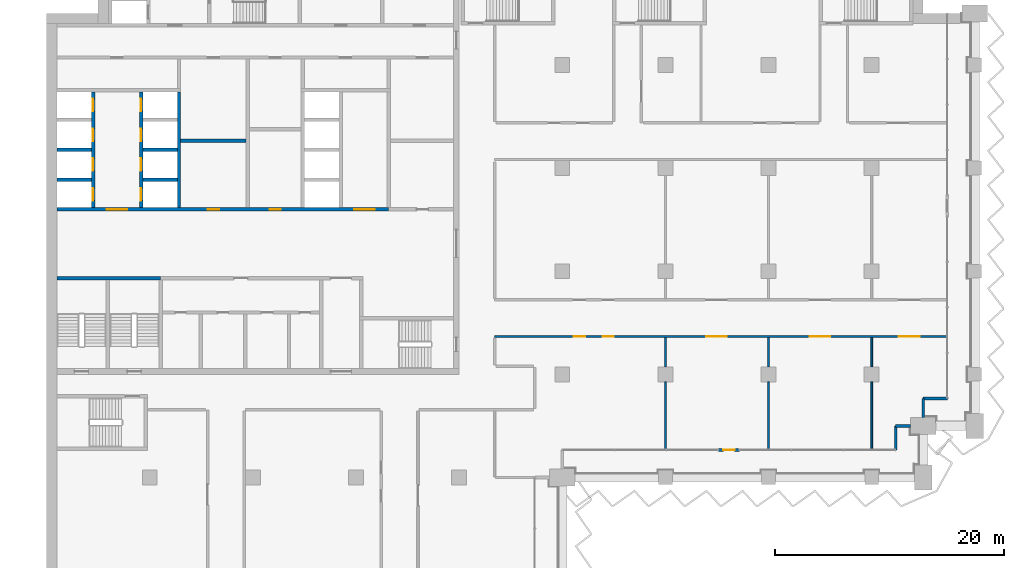
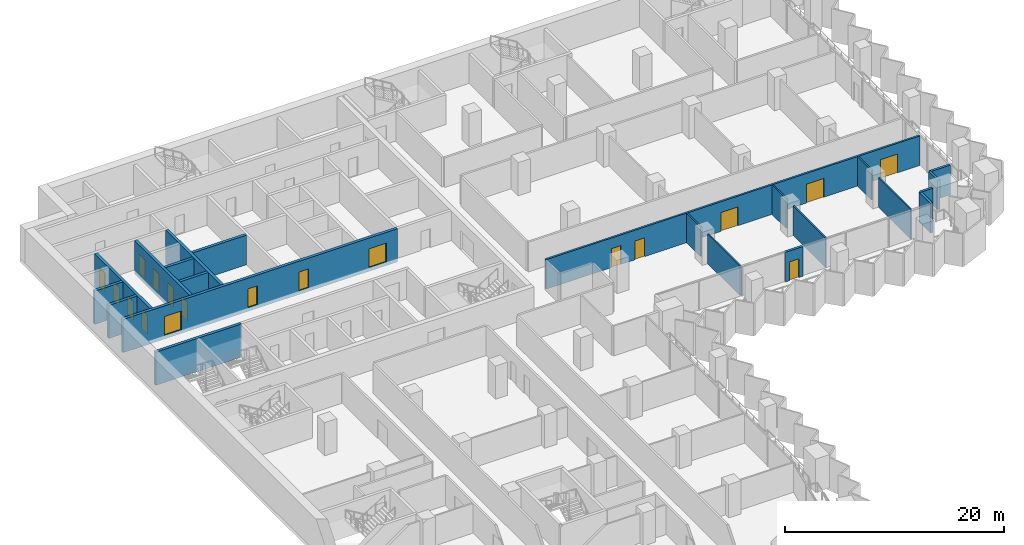
# One storey, part 12 of 22: 22 walls, 18 doors, 18 openings.
"""IFC4 building model written with IfcOpenShell, lengths in metres."""

from ifc_helpers import new_model, si_unit, direction, frame, frame_2d, origin, place, context, subcontext, project, spatial, rectangle, extrude, material, layer, layer_set, type_object, element, fill, save


model = new_model("IFC4")

# Units and contexts
model_context = context("Model", 3, precision=1e-05, world=origin(), true_north=direction((0.0, 1.0)))
body_context = subcontext(model_context, "Body", "Model", "MODEL_VIEW")
ifc_project = project(units=[si_unit("LENGTHUNIT", "METRE"), si_unit("AREAUNIT", "SQUARE_METRE"), si_unit("VOLUMEUNIT", "CUBIC_METRE"), si_unit("PLANEANGLEUNIT", "RADIAN"), si_unit("MASSUNIT", "GRAM", prefix="KILO")], contexts=[model_context])

# Site, building, storey
site_placement = place(None, origin())
site = spatial("IfcSite", under=ifc_project, at=site_placement, CompositionType="ELEMENT")
building_placement = place(site_placement, origin())
building = spatial("IfcBuilding", under=site, at=building_placement, Name="Hunhe Ridgeline Campus", CompositionType="ELEMENT")
storey_placement = place(building_placement, frame((0.0, 0.0, 114.39990234375)))
storey = spatial("IfcBuildingStorey", under=building, at=storey_placement, Name="L28", CompositionType="ELEMENT", Elevation=114.39990234375)

# Walls
ifc_material_1 = material(Name="Masonry concrete blockwork", Category="masonry")
ifc_layer_1 = layer(ifc_material_1, 0.300048828125)
ifc_layer_set_1 = layer_set([ifc_layer_1], Name="Core room partition 300 concrete block")
wall_type_1 = type_object("IfcWallType", Name="Core room partition 300 concrete block", PredefinedType="PARTITIONING", material=ifc_layer_set_1)
wall_1_placement = place(storey_placement, frame((11.699951171875, 83.39990234375, 0.0), z_axis=(0.0, 0.0, 1.0), x_axis=(1.0, 0.0, 0.0)))
element("IfcWall", 1, at=wall_1_placement, inside=storey, type_object=wall_type_1, Name="L28 core partition 20", PredefinedType="PARTITIONING", context=body_context, shape_type="SweptSolid", body=[
    extrude(rectangle(XDim=5.699951171875, YDim=0.300048828125, at=frame_2d((2.85009765625, 0.0))), origin(), (0.0, 0.0, 1.0), 3.300048828125),
])
ifc_material_2 = material(Name="Concrete C30", Category="concrete")
ifc_layer_2 = layer(ifc_material_2, 0.25)
ifc_layer_set_2 = layer_set([ifc_layer_2], Name="Corner return wall 250 Concrete C30")
wall_type_2 = type_object("IfcWallType", Name="Corner return wall 250 Concrete C30", PredefinedType="SOLIDWALL", material=ifc_layer_set_2)
wall_2_placement = place(storey_placement, frame((74.09912109375, 56.40087890625, 0.0), z_axis=(0.0, 0.0, 1.0), x_axis=(0.00011626555, 0.999999993241, 0.0)))
element("IfcWall", 2, at=wall_2_placement, inside=storey, type_object=wall_type_2, Name="Corner return wall 4", PredefinedType="SOLIDWALL", context=body_context, shape_type="SweptSolid", body=[
    extrude(rectangle(XDim=2.099853515625, YDim=0.25, at=frame_2d((1.0498046875, 0.0))), origin(), (0.0, 0.0, 1.0), 3.300048828125),
])
wall_3_placement = place(storey_placement, frame((74.099365234375, 58.500732421875, 0.0), z_axis=(0.0, 0.0, 1.0), x_axis=(0.99999998238, 0.000187722918, 0.0)))
element("IfcWall", 3, at=wall_3_placement, inside=storey, type_object=wall_type_2, Name="Corner return wall 5", PredefinedType="SOLIDWALL", context=body_context, shape_type="SweptSolid", body=[
    extrude(rectangle(XDim=1.300537109375, YDim=0.25, at=frame_2d((0.650390625, 0.0))), origin(), (0.0, 0.0, 1.0), 3.300048828125),
])
wall_4_placement = place(storey_placement, frame((76.4990234375, 59.25, 0.0), z_axis=(0.0, 0.0, 1.0), x_axis=(0.000147907113, 0.999999989062, 0.0)))
element("IfcWall", 4, at=wall_4_placement, inside=storey, type_object=wall_type_2, Name="Corner return wall 6", PredefinedType="SOLIDWALL", context=body_context, shape_type="SweptSolid", body=[
    extrude(rectangle(XDim=1.650634765625, YDim=0.25, at=frame_2d((0.8251953125, 0.0))), origin(), (0.0, 0.0, 1.0), 3.300048828125),
])
wall_5_placement = place(storey_placement, frame((76.499267578125, 60.900634765625, 0.0), z_axis=(0.0, 0.0, 1.0), x_axis=(0.999999993241, 0.00011626555, 0.0)))
element("IfcWall", 5, at=wall_5_placement, inside=storey, type_object=wall_type_2, Name="Corner return wall 7", PredefinedType="SOLIDWALL", context=body_context, shape_type="SweptSolid", body=[
    extrude(rectangle(XDim=2.099853515625, YDim=0.25, at=frame_2d((1.0498046875, 0.0))), origin(), (0.0, 0.0, 1.0), 3.300048828125),
])

# Wall, openings, doors
ifc_material_3 = material(Name="Gypsum board partition")
ifc_layer_3 = layer(ifc_material_3, 0.199951171875)
ifc_layer_set_3 = layer_set([ifc_layer_3], Name="Corridor partition 200 gypsum board on steel studs")
wall_type_3 = type_object("IfcWallType", Name="Corridor partition 200 gypsum board on steel studs", PredefinedType="PARTITIONING", material=ifc_layer_set_3)
wall_6_placement = place(storey_placement, frame((78.544921875, 66.300048828125, 0.0), z_axis=(0.0, 0.0, 1.0), x_axis=(-1.0, 0.0, 0.0)))
wall_6 = element("IfcWall", 6, at=wall_6_placement, inside=storey, type_object=wall_type_3, Name="F-L28-wall-035", PredefinedType="PARTITIONING", context=body_context, shape_type="SweptSolid", body=[
    extrude(rectangle(XDim=39.44482421875, YDim=0.199951171875, at=frame_2d((19.722412109375, 0.0))), origin(), (0.0, 0.0, 1.0), 3.300048828125),
])
opening_1_placement = place(wall_6_placement, frame((31.533447265625, 0.0, 0.0)))
opening_1 = element("IfcOpeningElement", 7, at=opening_1_placement, cuts=wall_6, Name="Opening RD1-019", PredefinedType="OPENING", context=body_context, shape_type="SweptSolid", body=[
    extrude(rectangle(XDim=1.0, YDim=2.10009765625, at=frame_2d((0.5, 1.050048828125))), frame((0.0, 0.10009765625, 0.0), z_axis=(0.0, -1.0, 0.0), x_axis=(1.0, 0.0, 0.0)), (0.0, 0.0, 1.0), 0.199951171875),
])
opening_2_placement = place(wall_6_placement, frame((29.033447265625, 0.0, 0.0)))
opening_2 = element("IfcOpeningElement", 8, at=opening_2_placement, cuts=wall_6, Name="Opening RD1-020", PredefinedType="OPENING", context=body_context, shape_type="SweptSolid", body=[
    extrude(rectangle(XDim=1.0, YDim=2.10009765625, at=frame_2d((0.5, 1.050048828125))), frame((0.0, 0.10009765625, 0.0), z_axis=(0.0, -1.0, 0.0), x_axis=(1.0, 0.0, 0.0)), (0.0, 0.0, 1.0), 0.199951171875),
])
opening_3_placement = place(wall_6_placement, frame((19.199462890625, 0.0, 0.0)))
opening_3 = element("IfcOpeningElement", 9, at=opening_3_placement, cuts=wall_6, Name="Opening RD2-021", PredefinedType="OPENING", context=body_context, shape_type="SweptSolid", body=[
    extrude(rectangle(XDim=1.800048828125, YDim=2.10009765625, at=frame_2d((0.89990234375, 1.050048828125))), frame((0.0, 0.10009765625, 0.0), z_axis=(0.0, -1.0, 0.0), x_axis=(1.0, 0.0, 0.0)), (0.0, 0.0, 1.0), 0.199951171875),
])
opening_4_placement = place(wall_6_placement, frame((10.154541015625, 0.0, 0.0)))
opening_4 = element("IfcOpeningElement", 10, at=opening_4_placement, cuts=wall_6, Name="Opening RD2-022", PredefinedType="OPENING", context=body_context, shape_type="SweptSolid", body=[
    extrude(rectangle(XDim=1.800048828125, YDim=2.10009765625, at=frame_2d((0.89990234375, 1.050048828125))), frame((0.0, 0.10009765625, 0.0), z_axis=(0.0, -1.0, 0.0), x_axis=(1.0, 0.0, 0.0)), (0.0, 0.0, 1.0), 0.199951171875),
])
opening_5_placement = place(wall_6_placement, frame((2.3662109375, 0.0, 0.0)))
opening_5 = element("IfcOpeningElement", 11, at=opening_5_placement, cuts=wall_6, Name="Opening RD2-023", PredefinedType="OPENING", context=body_context, shape_type="SweptSolid", body=[
    extrude(rectangle(XDim=1.800048828125, YDim=2.10009765625, at=frame_2d((0.89990234375, 1.050048828125))), frame((0.0, 0.10009765625, 0.0), z_axis=(0.0, -1.0, 0.0), x_axis=(1.0, 0.0, 0.0)), (0.0, 0.0, 1.0), 0.199951171875),
])
ifc_material_4 = material(Name="Timber door leaf", Category="wood")
door_type_1 = type_object("IfcDoorType", Name="Double fire door 1800x2100 timber FD60", OperationType="DOUBLE_DOOR_SINGLE_SWING", PredefinedType="DOOR", material=ifc_material_4)
door_1_placement = place(opening_3_placement, origin())
door_1 = element("IfcDoor", 12, at=door_1_placement, inside=storey, type_object=door_type_1, Name="F-L28-door-021", OperationType="DOUBLE_DOOR_SINGLE_SWING", OverallHeight=2.10009765625, OverallWidth=1.800048828125, PredefinedType="DOOR", context=body_context, shape_type="SweptSolid", body=[
    extrude(rectangle(XDim=1.800048828125, YDim=2.10009765625, at=frame_2d((0.89990234375, 1.050048828125))), frame((0.0, 0.02490234375, 0.0), z_axis=(0.0, -1.0, 0.0), x_axis=(1.0, 0.0, 0.0)), (0.0, 0.0, 1.0), 0.050048828125),
])
fill(opening_3, door_1)
door_2_placement = place(opening_4_placement, origin())
door_2 = element("IfcDoor", 13, at=door_2_placement, inside=storey, type_object=door_type_1, Name="F-L28-door-022", OperationType="DOUBLE_DOOR_SINGLE_SWING", OverallHeight=2.10009765625, OverallWidth=1.800048828125, PredefinedType="DOOR", context=body_context, shape_type="SweptSolid", body=[
    extrude(rectangle(XDim=1.800048828125, YDim=2.10009765625, at=frame_2d((0.89990234375, 1.050048828125))), frame((0.0, 0.02490234375, 0.0), z_axis=(0.0, -1.0, 0.0), x_axis=(1.0, 0.0, 0.0)), (0.0, 0.0, 1.0), 0.050048828125),
])
fill(opening_4, door_2)
door_3_placement = place(opening_5_placement, origin())
door_3 = element("IfcDoor", 14, at=door_3_placement, inside=storey, type_object=door_type_1, Name="F-L28-door-023", OperationType="DOUBLE_DOOR_SINGLE_SWING", OverallHeight=2.10009765625, OverallWidth=1.800048828125, PredefinedType="DOOR", context=body_context, shape_type="SweptSolid", body=[
    extrude(rectangle(XDim=1.800048828125, YDim=2.10009765625, at=frame_2d((0.89990234375, 1.050048828125))), frame((0.0, 0.02490234375, 0.0), z_axis=(0.0, -1.0, 0.0), x_axis=(1.0, 0.0, 0.0)), (0.0, 0.0, 1.0), 0.050048828125),
])
fill(opening_5, door_3)
door_type_2 = type_object("IfcDoorType", Name="Single fire door 1000x2100 timber FD60", OperationType="NOTDEFINED", PredefinedType="DOOR", material=ifc_material_4)
door_4_placement = place(opening_1_placement, frame((1.0, 0.0, 0.0), z_axis=(0.0, 0.0, 1.0), x_axis=(-1.0, 0.0, 0.0)))
door_4 = element("IfcDoor", 15, at=door_4_placement, inside=storey, type_object=door_type_2, Name="F-L28-door-019", OperationType="SINGLE_SWING_LEFT", OverallHeight=2.10009765625, OverallWidth=1.0, PredefinedType="DOOR", context=body_context, shape_type="SweptSolid", body=[
    extrude(rectangle(XDim=1.0, YDim=2.10009765625, at=frame_2d((0.5, 1.050048828125))), frame((0.0, 0.02490234375, 0.0), z_axis=(0.0, -1.0, 0.0), x_axis=(1.0, 0.0, 0.0)), (0.0, 0.0, 1.0), 0.050048828125),
])
fill(opening_1, door_4)
door_5_placement = place(opening_2_placement, frame((1.0, 0.0, 0.0), z_axis=(0.0, 0.0, 1.0), x_axis=(-1.0, 0.0, 0.0)))
door_5 = element("IfcDoor", 16, at=door_5_placement, inside=storey, type_object=door_type_2, Name="F-L28-door-020", OperationType="SINGLE_SWING_RIGHT", OverallHeight=2.10009765625, OverallWidth=1.0, PredefinedType="DOOR", context=body_context, shape_type="SweptSolid", body=[
    extrude(rectangle(XDim=1.0, YDim=2.10009765625, at=frame_2d((0.5, 1.050048828125))), frame((0.0, 0.02490234375, 0.0), z_axis=(0.0, -1.0, 0.0), x_axis=(1.0, 0.0, 0.0)), (0.0, 0.0, 1.0), 0.050048828125),
])
fill(opening_2, door_5)

# Wall, opening, door
ifc_layer_4 = layer(ifc_material_2, 0.25)
ifc_layer_set_4 = layer_set([ifc_layer_4], Name="Loggia door pier wall 250 Concrete C30")
wall_type_4 = type_object("IfcWallType", Name="Loggia door pier wall 250 Concrete C30", PredefinedType="SOLIDWALL", material=ifc_layer_set_4)
wall_7_placement = place(storey_placement, frame((58.6494140625, 56.40087890625, 0.0), z_axis=(0.0, 0.0, 1.0), x_axis=(1.0, 0.0, 0.0)))
wall_7 = element("IfcWall", 17, at=wall_7_placement, inside=storey, type_object=wall_type_4, Name="Loggia door pier 3", PredefinedType="SOLIDWALL", context=body_context, shape_type="SweptSolid", body=[
    extrude(rectangle(XDim=1.800048828125, YDim=0.25, at=frame_2d((0.89990234375, 0.0))), origin(), (0.0, 0.0, 1.0), 3.300048828125),
])
opening_6_placement = place(wall_7_placement, frame((0.39990234375, 0.0, 0.0)))
opening_6 = element("IfcOpeningElement", 18, at=opening_6_placement, cuts=wall_7, Name="Opening BD206", PredefinedType="OPENING", context=body_context, shape_type="SweptSolid", body=[
    extrude(rectangle(XDim=1.0, YDim=2.10009765625, at=frame_2d((0.5, 1.050048828125))), frame((0.0, 0.125, 0.0), z_axis=(0.0, -1.0, 0.0), x_axis=(1.0, 0.0, 0.0)), (0.0, 0.0, 1.0), 0.25),
])
ifc_material_5 = material(Name="Aluminium 6063", Category="aluminium")
door_type_3 = type_object("IfcDoorType", Name="Loggia glazed door 1000x2100", OperationType="NOTDEFINED", PredefinedType="DOOR", material=ifc_material_5)
door_6_placement = place(opening_6_placement, frame((1.0, 0.0, 0.0), z_axis=(0.0, 0.0, 1.0), x_axis=(-1.0, 0.0, 0.0)))
door_6 = element("IfcDoor", 19, at=door_6_placement, inside=storey, type_object=door_type_3, Name="Loggia door BD206", OperationType="SINGLE_SWING_LEFT", OverallHeight=2.10009765625, OverallWidth=1.0, PredefinedType="DOOR", context=body_context, shape_type="SweptSolid", body=[
    extrude(rectangle(XDim=1.0, YDim=2.10009765625, at=frame_2d((0.5, 1.050048828125))), frame((0.0, 0.02490234375, 0.0), z_axis=(0.0, -1.0, 0.0), x_axis=(1.0, 0.0, 0.0)), (0.0, 0.0, 1.0), 0.050048828125),
])
fill(opening_6, door_6)

# Walls
ifc_layer_5 = layer(ifc_material_3, 0.14990234375)
ifc_layer_set_5 = layer_set([ifc_layer_5], Name="Room partition 150 gypsum board on steel studs")
wall_type_5 = type_object("IfcWallType", Name="Room partition 150 gypsum board on steel studs", PredefinedType="PARTITIONING", material=ifc_layer_set_5)
wall_8_placement = place(storey_placement, frame((54.0, 62.35009765625, 0.0), z_axis=(0.0, 0.0, 1.0), x_axis=(0.0, -1.0, 0.0)))
element("IfcWall", 20, at=wall_8_placement, inside=storey, type_object=wall_type_5, Name="F-L28-wall-056", PredefinedType="PARTITIONING", context=body_context, shape_type="SweptSolid", body=[
    extrude(rectangle(XDim=5.89501953125, YDim=0.14990234375, at=frame_2d((2.947509765625, 0.0))), origin(), (0.0, 0.0, 1.0), 3.300048828125),
])
wall_9_placement = place(storey_placement, frame((54.0, 66.199951171875, 0.0), z_axis=(0.0, 0.0, 1.0), x_axis=(0.0, -1.0, 0.0)))
element("IfcWall", 21, at=wall_9_placement, inside=storey, type_object=wall_type_5, Name="F-L28-wall-057", PredefinedType="PARTITIONING", context=body_context, shape_type="SweptSolid", body=[
    extrude(rectangle(XDim=2.550048828125, YDim=0.14990234375, at=frame_2d((1.27490234375, 0.0))), origin(), (0.0, 0.0, 1.0), 3.300048828125),
])
wall_10_placement = place(storey_placement, frame((63.0, 62.35009765625, 0.0), z_axis=(0.0, 0.0, 1.0), x_axis=(0.0, -1.0, 0.0)))
element("IfcWall", 22, at=wall_10_placement, inside=storey, type_object=wall_type_5, Name="F-L28-wall-061", PredefinedType="PARTITIONING", context=body_context, shape_type="SweptSolid", body=[
    extrude(rectangle(XDim=5.89501953125, YDim=0.14990234375, at=frame_2d((2.947509765625, 0.0))), origin(), (0.0, 0.0, 1.0), 3.300048828125),
])
wall_11_placement = place(storey_placement, frame((63.0, 66.199951171875, 0.0), z_axis=(0.0, 0.0, 1.0), x_axis=(0.0, -1.0, 0.0)))
element("IfcWall", 23, at=wall_11_placement, inside=storey, type_object=wall_type_5, Name="F-L28-wall-062", PredefinedType="PARTITIONING", context=body_context, shape_type="SweptSolid", body=[
    extrude(rectangle(XDim=2.550048828125, YDim=0.14990234375, at=frame_2d((1.27490234375, 0.0))), origin(), (0.0, 0.0, 1.0), 3.300048828125),
])
wall_12_placement = place(storey_placement, frame((72.0, 62.35009765625, 0.0), z_axis=(0.0, 0.0, 1.0), x_axis=(0.0, -1.0, 0.0)))
element("IfcWall", 24, at=wall_12_placement, inside=storey, type_object=wall_type_5, Name="F-L28-wall-067", PredefinedType="PARTITIONING", context=body_context, shape_type="SweptSolid", body=[
    extrude(rectangle(XDim=5.89501953125, YDim=0.14990234375, at=frame_2d((2.947509765625, 0.0))), origin(), (0.0, 0.0, 1.0), 3.300048828125),
])
wall_13_placement = place(storey_placement, frame((72.0, 66.199951171875, 0.0), z_axis=(0.0, 0.0, 1.0), x_axis=(0.0, -1.0, 0.0)))
element("IfcWall", 25, at=wall_13_placement, inside=storey, type_object=wall_type_5, Name="F-L28-wall-068", PredefinedType="PARTITIONING", context=body_context, shape_type="SweptSolid", body=[
    extrude(rectangle(XDim=2.550048828125, YDim=0.14990234375, at=frame_2d((1.27490234375, 0.0))), origin(), (0.0, 0.0, 1.0), 3.300048828125),
])

# Wall, openings, doors
ifc_material_6 = material(Name="Concrete C80", Category="concrete")
ifc_layer_6 = layer(ifc_material_6, 0.300048828125)
ifc_layer_set_6 = layer_set([ifc_layer_6], Name="Shaft wall 300 reinforced concrete C80")
wall_type_6 = type_object("IfcWallType", Name="Shaft wall 300 reinforced concrete C80", PredefinedType="SOLIDWALL", material=ifc_layer_set_6)
wall_14_placement = place(storey_placement, frame((0.89990234375, 77.39990234375, -0.39990234375), z_axis=(0.0, 0.0, 1.0), x_axis=(1.0, 0.0, 0.0)))
wall_14 = element("IfcWall", 26, at=wall_14_placement, inside=storey, type_object=wall_type_6, Name="L28 core wall 12", PredefinedType="SOLIDWALL", context=body_context, shape_type="SweptSolid", body=[
    extrude(rectangle(XDim=28.9501953125, YDim=0.300048828125, at=frame_2d((14.47509765625, 0.0))), origin(), (0.0, 0.0, 1.0), 3.699951171875),
])
opening_7_placement = place(wall_14_placement, frame((4.35009765625, 0.0, 0.39990234375)))
opening_7 = element("IfcOpeningElement", 27, at=opening_7_placement, cuts=wall_14, Name="Opening CD1", PredefinedType="OPENING", context=body_context, shape_type="SweptSolid", body=[
    extrude(rectangle(XDim=1.800048828125, YDim=2.10009765625, at=frame_2d((0.89990234375, 1.050048828125))), frame((0.0, 0.14990234375, 0.0), z_axis=(0.0, -1.0, 0.0), x_axis=(1.0, 0.0, 0.0)), (0.0, 0.0, 1.0), 0.300048828125),
])
opening_8_placement = place(wall_14_placement, frame((25.949951171875, 0.0, 0.39990234375)))
opening_8 = element("IfcOpeningElement", 28, at=opening_8_placement, cuts=wall_14, Name="Opening CD2", PredefinedType="OPENING", context=body_context, shape_type="SweptSolid", body=[
    extrude(rectangle(XDim=1.800048828125, YDim=2.10009765625, at=frame_2d((0.89990234375, 1.050048828125))), frame((0.0, 0.14990234375, 0.0), z_axis=(0.0, -1.0, 0.0), x_axis=(1.0, 0.0, 0.0)), (0.0, 0.0, 1.0), 0.300048828125),
])
opening_9_placement = place(wall_14_placement, frame((13.14990234375, 0.0, 0.39990234375)))
opening_9 = element("IfcOpeningElement", 29, at=opening_9_placement, cuts=wall_14, Name="Opening CD28", PredefinedType="OPENING", context=body_context, shape_type="SweptSolid", body=[
    extrude(rectangle(XDim=1.0, YDim=2.10009765625, at=frame_2d((0.5, 1.050048828125))), frame((0.0, 0.14990234375, 0.0), z_axis=(0.0, -1.0, 0.0), x_axis=(1.0, 0.0, 0.0)), (0.0, 0.0, 1.0), 0.300048828125),
])
opening_10_placement = place(wall_14_placement, frame((18.550048828125, 0.0, 0.39990234375)))
opening_10 = element("IfcOpeningElement", 30, at=opening_10_placement, cuts=wall_14, Name="Opening CD30", PredefinedType="OPENING", context=body_context, shape_type="SweptSolid", body=[
    extrude(rectangle(XDim=1.0, YDim=2.10009765625, at=frame_2d((0.5, 1.050048828125))), frame((0.0, 0.14990234375, 0.0), z_axis=(0.0, -1.0, 0.0), x_axis=(1.0, 0.0, 0.0)), (0.0, 0.0, 1.0), 0.300048828125),
])
ifc_material_7 = material(Name="Hollow metal fire door leaf")
door_type_4 = type_object("IfcDoorType", Name="Lobby door 1800x2100 FD60", OperationType="SINGLE_SWING_LEFT", PredefinedType="DOOR", material=ifc_material_7)
door_7_placement = place(opening_7_placement, frame((1.800048828125, 0.0, 0.0), z_axis=(0.0, 0.0, 1.0), x_axis=(-1.0, 0.0, 0.0)))
door_7 = element("IfcDoor", 31, at=door_7_placement, inside=storey, type_object=door_type_4, Name="L28 door LOB-LR", OperationType="SINGLE_SWING_RIGHT", OverallHeight=2.10009765625, OverallWidth=1.800048828125, PredefinedType="DOOR", context=body_context, shape_type="SweptSolid", body=[
    extrude(rectangle(XDim=1.800048828125, YDim=2.10009765625, at=frame_2d((0.89990234375, 1.050048828125))), frame((0.0, 0.02490234375, 0.0), z_axis=(0.0, -1.0, 0.0), x_axis=(1.0, 0.0, 0.0)), (0.0, 0.0, 1.0), 0.050048828125),
])
fill(opening_7, door_7)
door_8_placement = place(opening_8_placement, frame((1.800048828125, 0.0, 0.0), z_axis=(0.0, 0.0, 1.0), x_axis=(-1.0, 0.0, 0.0)))
door_8 = element("IfcDoor", 32, at=door_8_placement, inside=storey, type_object=door_type_4, Name="L28 door LOB-SH", OperationType="SINGLE_SWING_LEFT", OverallHeight=2.10009765625, OverallWidth=1.800048828125, PredefinedType="DOOR", context=body_context, shape_type="SweptSolid", body=[
    extrude(rectangle(XDim=1.800048828125, YDim=2.10009765625, at=frame_2d((0.89990234375, 1.050048828125))), frame((0.0, 0.02490234375, 0.0), z_axis=(0.0, -1.0, 0.0), x_axis=(1.0, 0.0, 0.0)), (0.0, 0.0, 1.0), 0.050048828125),
])
fill(opening_8, door_8)
ifc_material_8 = material(Name="Solid core timber door leaf", Category="wood")
door_type_5 = type_object("IfcDoorType", Name="Timber door 1000x2100", OperationType="SINGLE_SWING_LEFT", PredefinedType="DOOR", material=ifc_material_8)
door_9_placement = place(opening_9_placement, origin())
door_9 = element("IfcDoor", 33, at=door_9_placement, inside=storey, type_object=door_type_5, Name="L28 door VD-HR0", OperationType="SINGLE_SWING_LEFT", OverallHeight=2.10009765625, OverallWidth=1.0, PredefinedType="DOOR", context=body_context, shape_type="SweptSolid", body=[
    extrude(rectangle(XDim=1.0, YDim=2.10009765625, at=frame_2d((0.5, 1.050048828125))), frame((0.0, 0.02490234375, 0.0), z_axis=(0.0, -1.0, 0.0), x_axis=(1.0, 0.0, 0.0)), (0.0, 0.0, 1.0), 0.050048828125),
])
fill(opening_9, door_9)
door_10_placement = place(opening_10_placement, origin())
door_10 = element("IfcDoor", 34, at=door_10_placement, inside=storey, type_object=door_type_5, Name="L28 door VD-HR2", OperationType="SINGLE_SWING_LEFT", OverallHeight=2.10009765625, OverallWidth=1.0, PredefinedType="DOOR", context=body_context, shape_type="SweptSolid", body=[
    extrude(rectangle(XDim=1.0, YDim=2.10009765625, at=frame_2d((0.5, 1.050048828125))), frame((0.0, 0.02490234375, 0.0), z_axis=(0.0, -1.0, 0.0), x_axis=(1.0, 0.0, 0.0)), (0.0, 0.0, 1.0), 0.050048828125),
])
fill(opening_10, door_10)

# Walls
for number, where, z_axis, x_axis, name in (
    (35, (0.89990234375, 80.0, -0.39990234375), (0.0, 0.0, 1.0), (1.0, 0.0, 0.0), "L28 core wall 14"),
    (36, (8.39990234375, 80.0, -0.39990234375), (0.0, 0.0, 1.0), (1.0, 0.0, 0.0), "L28 core wall 15"),
    (37, (0.89990234375, 82.60009765625, -0.39990234375), (0.0, 0.0, 1.0), (1.0, 0.0, 0.0), "L28 core wall 17"),
    (38, (8.39990234375, 82.60009765625, -0.39990234375), (0.0, 0.0, 1.0), (1.0, 0.0, 0.0), "L28 core wall 18"),
):
    element("IfcWall", number, at=place(storey_placement, frame(where, z_axis=z_axis, x_axis=x_axis)), inside=storey, type_object=wall_type_6, Name=name, PredefinedType="SOLIDWALL", context=body_context, shape_type="SweptSolid", body=[
        extrude(rectangle(XDim=3.0, YDim=0.300048828125, at=frame_2d((1.5, 0.0))), origin(), (0.0, 0.0, 1.0), 3.699951171875),
    ])

# Wall, openings, doors
wall_15_placement = place(storey_placement, frame((4.050048828125, 77.550048828125, -0.39990234375), z_axis=(0.0, 0.0, 1.0), x_axis=(0.0, 1.0, 0.0)))
wall_15 = element("IfcWall", 39, at=wall_15_placement, inside=storey, type_object=wall_type_6, Name="L28 core wall 34", PredefinedType="SOLIDWALL", context=body_context, shape_type="SweptSolid", body=[
    extrude(rectangle(XDim=10.099853515625, YDim=0.300048828125, at=frame_2d((5.0498046875, 0.0))), origin(), (0.0, 0.0, 1.0), 3.699951171875),
])
opening_11_placement = place(wall_15_placement, frame((0.60009765625, 0.0, 0.39990234375)))
opening_11 = element("IfcOpeningElement", 40, at=opening_11_placement, cuts=wall_15, Name="Opening LD-LR1", PredefinedType="OPENING", context=body_context, shape_type="SweptSolid", body=[
    extrude(rectangle(XDim=1.10009765625, YDim=2.10009765625, at=frame_2d((0.550048828125, 1.050048828125))), frame((0.0, 0.14990234375, 0.0), z_axis=(0.0, -1.0, 0.0), x_axis=(1.0, 0.0, 0.0)), (0.0, 0.0, 1.0), 0.300048828125),
])
opening_12_placement = place(wall_15_placement, frame((3.199951171875, 0.0, 0.39990234375)))
opening_12 = element("IfcOpeningElement", 41, at=opening_12_placement, cuts=wall_15, Name="Opening LD-LR2", PredefinedType="OPENING", context=body_context, shape_type="SweptSolid", body=[
    extrude(rectangle(XDim=1.10009765625, YDim=2.10009765625, at=frame_2d((0.550048828125, 1.050048828125))), frame((0.0, 0.14990234375, 0.0), z_axis=(0.0, -1.0, 0.0), x_axis=(1.0, 0.0, 0.0)), (0.0, 0.0, 1.0), 0.300048828125),
])
opening_13_placement = place(wall_15_placement, frame((5.800048828125, 0.0, 0.39990234375)))
opening_13 = element("IfcOpeningElement", 42, at=opening_13_placement, cuts=wall_15, Name="Opening LD-LR3", PredefinedType="OPENING", context=body_context, shape_type="SweptSolid", body=[
    extrude(rectangle(XDim=1.10009765625, YDim=2.10009765625, at=frame_2d((0.550048828125, 1.050048828125))), frame((0.0, 0.14990234375, 0.0), z_axis=(0.0, -1.0, 0.0), x_axis=(1.0, 0.0, 0.0)), (0.0, 0.0, 1.0), 0.300048828125),
])
opening_14_placement = place(wall_15_placement, frame((8.39990234375, 0.0, 0.39990234375)))
opening_14 = element("IfcOpeningElement", 43, at=opening_14_placement, cuts=wall_15, Name="Opening LD-LR4", PredefinedType="OPENING", context=body_context, shape_type="SweptSolid", body=[
    extrude(rectangle(XDim=1.10009765625, YDim=2.10009765625, at=frame_2d((0.550048828125, 1.050048828125))), frame((0.0, 0.14990234375, 0.0), z_axis=(0.0, -1.0, 0.0), x_axis=(1.0, 0.0, 0.0)), (0.0, 0.0, 1.0), 0.300048828125),
])
ifc_material_9 = material(Name="Stainless steel sliding leaves", Category="steel")
door_type_6 = type_object("IfcDoorType", Name="Landing door 1100x2100 FD120", OperationType="SLIDING_TO_LEFT", PredefinedType="DOOR", material=ifc_material_9)
door_11_placement = place(opening_11_placement, origin())
door_11 = element("IfcDoor", 44, at=door_11_placement, inside=storey, type_object=door_type_6, Name="L28 landing door LR1", OperationType="SLIDING_TO_RIGHT", OverallHeight=2.10009765625, OverallWidth=1.10009765625, PredefinedType="DOOR", context=body_context, shape_type="SweptSolid", body=[
    extrude(rectangle(XDim=1.10009765625, YDim=2.10009765625, at=frame_2d((0.550048828125, 1.050048828125))), frame((0.0, 0.02490234375, 0.0), z_axis=(0.0, -1.0, 0.0), x_axis=(1.0, 0.0, 0.0)), (0.0, 0.0, 1.0), 0.050048828125),
])
fill(opening_11, door_11)
door_12_placement = place(opening_12_placement, origin())
door_12 = element("IfcDoor", 45, at=door_12_placement, inside=storey, type_object=door_type_6, Name="L28 landing door LR2", OperationType="SLIDING_TO_LEFT", OverallHeight=2.10009765625, OverallWidth=1.10009765625, PredefinedType="DOOR", context=body_context, shape_type="SweptSolid", body=[
    extrude(rectangle(XDim=1.10009765625, YDim=2.10009765625, at=frame_2d((0.550048828125, 1.050048828125))), frame((0.0, 0.02490234375, 0.0), z_axis=(0.0, -1.0, 0.0), x_axis=(1.0, 0.0, 0.0)), (0.0, 0.0, 1.0), 0.050048828125),
])
fill(opening_12, door_12)
door_13_placement = place(opening_13_placement, origin())
door_13 = element("IfcDoor", 46, at=door_13_placement, inside=storey, type_object=door_type_6, Name="L28 landing door LR3", OperationType="SLIDING_TO_RIGHT", OverallHeight=2.10009765625, OverallWidth=1.10009765625, PredefinedType="DOOR", context=body_context, shape_type="SweptSolid", body=[
    extrude(rectangle(XDim=1.10009765625, YDim=2.10009765625, at=frame_2d((0.550048828125, 1.050048828125))), frame((0.0, 0.02490234375, 0.0), z_axis=(0.0, -1.0, 0.0), x_axis=(1.0, 0.0, 0.0)), (0.0, 0.0, 1.0), 0.050048828125),
])
fill(opening_13, door_13)
door_14_placement = place(opening_14_placement, origin())
door_14 = element("IfcDoor", 47, at=door_14_placement, inside=storey, type_object=door_type_6, Name="L28 landing door LR4", OperationType="SLIDING_TO_LEFT", OverallHeight=2.10009765625, OverallWidth=1.10009765625, PredefinedType="DOOR", context=body_context, shape_type="SweptSolid", body=[
    extrude(rectangle(XDim=1.10009765625, YDim=2.10009765625, at=frame_2d((0.550048828125, 1.050048828125))), frame((0.0, 0.02490234375, 0.0), z_axis=(0.0, -1.0, 0.0), x_axis=(1.0, 0.0, 0.0)), (0.0, 0.0, 1.0), 0.050048828125),
])
fill(opening_14, door_14)

wall_16_placement = place(storey_placement, frame((8.25, 77.550048828125, -0.39990234375), z_axis=(0.0, 0.0, 1.0), x_axis=(0.0, 1.0, 0.0)))
wall_16 = element("IfcWall", 48, at=wall_16_placement, inside=storey, type_object=wall_type_6, Name="L28 core wall 37", PredefinedType="SOLIDWALL", context=body_context, shape_type="SweptSolid", body=[
    extrude(rectangle(XDim=10.099853515625, YDim=0.300048828125, at=frame_2d((5.0498046875, 0.0))), origin(), (0.0, 0.0, 1.0), 3.699951171875),
])
opening_15_placement = place(wall_16_placement, frame((0.60009765625, 0.0, 0.39990234375)))
opening_15 = element("IfcOpeningElement", 49, at=opening_15_placement, cuts=wall_16, Name="Opening LD-LR5", PredefinedType="OPENING", context=body_context, shape_type="SweptSolid", body=[
    extrude(rectangle(XDim=1.10009765625, YDim=2.10009765625, at=frame_2d((0.550048828125, 1.050048828125))), frame((0.0, 0.14990234375, 0.0), z_axis=(0.0, -1.0, 0.0), x_axis=(1.0, 0.0, 0.0)), (0.0, 0.0, 1.0), 0.300048828125),
])
opening_16_placement = place(wall_16_placement, frame((3.199951171875, 0.0, 0.39990234375)))
opening_16 = element("IfcOpeningElement", 50, at=opening_16_placement, cuts=wall_16, Name="Opening LD-LR6", PredefinedType="OPENING", context=body_context, shape_type="SweptSolid", body=[
    extrude(rectangle(XDim=1.10009765625, YDim=2.10009765625, at=frame_2d((0.550048828125, 1.050048828125))), frame((0.0, 0.14990234375, 0.0), z_axis=(0.0, -1.0, 0.0), x_axis=(1.0, 0.0, 0.0)), (0.0, 0.0, 1.0), 0.300048828125),
])
opening_17_placement = place(wall_16_placement, frame((5.800048828125, 0.0, 0.39990234375)))
opening_17 = element("IfcOpeningElement", 51, at=opening_17_placement, cuts=wall_16, Name="Opening LD-LR7", PredefinedType="OPENING", context=body_context, shape_type="SweptSolid", body=[
    extrude(rectangle(XDim=1.10009765625, YDim=2.10009765625, at=frame_2d((0.550048828125, 1.050048828125))), frame((0.0, 0.14990234375, 0.0), z_axis=(0.0, -1.0, 0.0), x_axis=(1.0, 0.0, 0.0)), (0.0, 0.0, 1.0), 0.300048828125),
])
opening_18_placement = place(wall_16_placement, frame((8.39990234375, 0.0, 0.39990234375)))
opening_18 = element("IfcOpeningElement", 52, at=opening_18_placement, cuts=wall_16, Name="Opening LD-LR8", PredefinedType="OPENING", context=body_context, shape_type="SweptSolid", body=[
    extrude(rectangle(XDim=1.10009765625, YDim=2.10009765625, at=frame_2d((0.550048828125, 1.050048828125))), frame((0.0, 0.14990234375, 0.0), z_axis=(0.0, -1.0, 0.0), x_axis=(1.0, 0.0, 0.0)), (0.0, 0.0, 1.0), 0.300048828125),
])
door_15_placement = place(opening_15_placement, origin())
door_15 = element("IfcDoor", 53, at=door_15_placement, inside=storey, type_object=door_type_6, Name="L28 landing door LR5", OperationType="SLIDING_TO_RIGHT", OverallHeight=2.10009765625, OverallWidth=1.10009765625, PredefinedType="DOOR", context=body_context, shape_type="SweptSolid", body=[
    extrude(rectangle(XDim=1.10009765625, YDim=2.10009765625, at=frame_2d((0.550048828125, 1.050048828125))), frame((0.0, 0.02490234375, 0.0), z_axis=(0.0, -1.0, 0.0), x_axis=(1.0, 0.0, 0.0)), (0.0, 0.0, 1.0), 0.050048828125),
])
fill(opening_15, door_15)
door_16_placement = place(opening_16_placement, origin())
door_16 = element("IfcDoor", 54, at=door_16_placement, inside=storey, type_object=door_type_6, Name="L28 landing door LR6", OperationType="SLIDING_TO_LEFT", OverallHeight=2.10009765625, OverallWidth=1.10009765625, PredefinedType="DOOR", context=body_context, shape_type="SweptSolid", body=[
    extrude(rectangle(XDim=1.10009765625, YDim=2.10009765625, at=frame_2d((0.550048828125, 1.050048828125))), frame((0.0, 0.02490234375, 0.0), z_axis=(0.0, -1.0, 0.0), x_axis=(1.0, 0.0, 0.0)), (0.0, 0.0, 1.0), 0.050048828125),
])
fill(opening_16, door_16)
door_17_placement = place(opening_17_placement, origin())
door_17 = element("IfcDoor", 55, at=door_17_placement, inside=storey, type_object=door_type_6, Name="L28 landing door LR7", OperationType="SLIDING_TO_RIGHT", OverallHeight=2.10009765625, OverallWidth=1.10009765625, PredefinedType="DOOR", context=body_context, shape_type="SweptSolid", body=[
    extrude(rectangle(XDim=1.10009765625, YDim=2.10009765625, at=frame_2d((0.550048828125, 1.050048828125))), frame((0.0, 0.02490234375, 0.0), z_axis=(0.0, -1.0, 0.0), x_axis=(1.0, 0.0, 0.0)), (0.0, 0.0, 1.0), 0.050048828125),
])
fill(opening_17, door_17)
door_18_placement = place(opening_18_placement, origin())
door_18 = element("IfcDoor", 56, at=door_18_placement, inside=storey, type_object=door_type_6, Name="L28 landing door LR8", OperationType="SLIDING_TO_LEFT", OverallHeight=2.10009765625, OverallWidth=1.10009765625, PredefinedType="DOOR", context=body_context, shape_type="SweptSolid", body=[
    extrude(rectangle(XDim=1.10009765625, YDim=2.10009765625, at=frame_2d((0.550048828125, 1.050048828125))), frame((0.0, 0.02490234375, 0.0), z_axis=(0.0, -1.0, 0.0), x_axis=(1.0, 0.0, 0.0)), (0.0, 0.0, 1.0), 0.050048828125),
])
fill(opening_18, door_18)

# Walls
wall_17_placement = place(storey_placement, frame((11.550048828125, 77.550048828125, -0.39990234375), z_axis=(0.0, 0.0, 1.0), x_axis=(0.0, 1.0, 0.0)))
element("IfcWall", 57, at=wall_17_placement, inside=storey, type_object=wall_type_6, Name="L28 core wall 42", PredefinedType="SOLIDWALL", context=body_context, shape_type="SweptSolid", body=[
    extrude(rectangle(XDim=10.099853515625, YDim=0.300048828125, at=frame_2d((5.0498046875, 0.0))), origin(), (0.0, 0.0, 1.0), 3.699951171875),
])
ifc_layer_7 = layer(ifc_material_6, 0.300048828125)
ifc_layer_set_7 = layer_set([ifc_layer_7], Name="Stair wall 300 reinforced concrete C80")
wall_type_7 = type_object("IfcWallType", Name="Stair wall 300 reinforced concrete C80", PredefinedType="SOLIDWALL", material=ifc_layer_set_7)
wall_18_placement = place(storey_placement, frame((0.89990234375, 71.39990234375, -0.39990234375), z_axis=(0.0, 0.0, 1.0), x_axis=(1.0, 0.0, 0.0)))
element("IfcWall", 58, at=wall_18_placement, inside=storey, type_object=wall_type_7, Name="L28 core wall 10", PredefinedType="SOLIDWALL", context=body_context, shape_type="SweptSolid", body=[
    extrude(rectangle(XDim=9.050048828125, YDim=0.300048828125, at=frame_2d((4.52490234375, 0.0))), origin(), (0.0, 0.0, 1.0), 3.699951171875),
])

save(model, "model.ifc")
